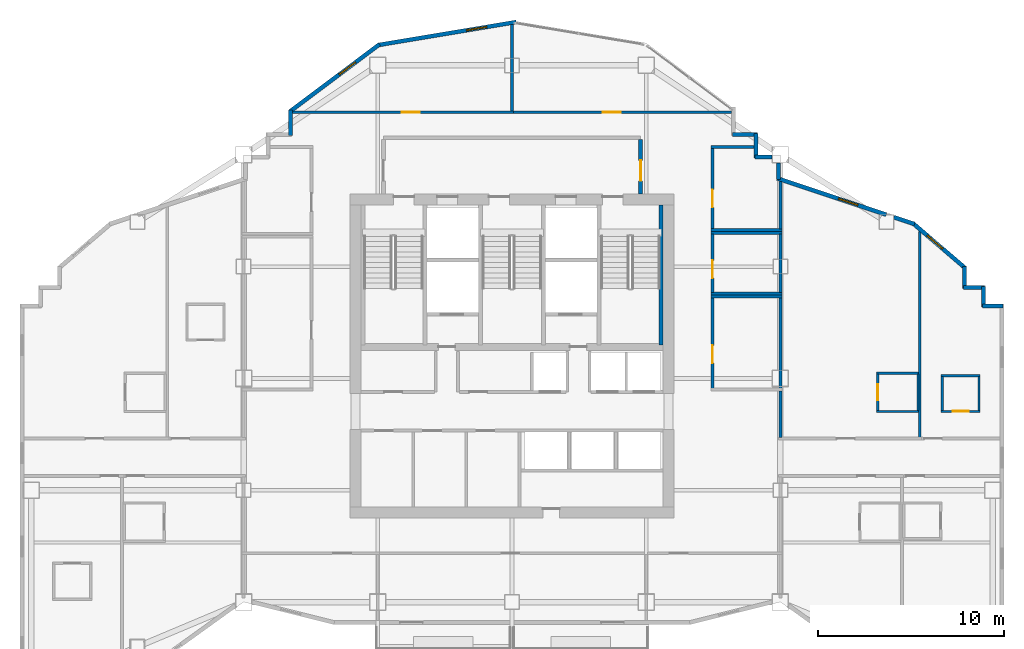
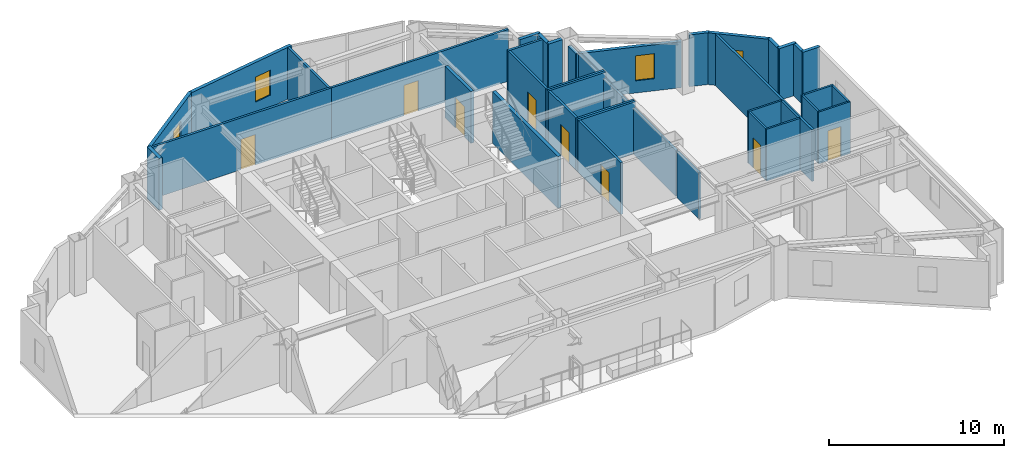
# One storey, part 8 of 10: 40 walls, 8 doors, 4 windows, 12 openings.
"""IFC4 building model written with IfcOpenShell, lengths in metres."""

from ifc_helpers import new_model, si_unit, direction, frame, frame_2d, origin, place, context, subcontext, project, spatial, rectangle, extrude, material, layer, layer_set, type_object, element, fill, save


model = new_model("IFC4")

# Units and contexts
model_context = context("Model", 3, precision=1e-05, world=origin(), true_north=direction((0.0, 1.0)))
body_context = subcontext(model_context, "Body", "Model", "MODEL_VIEW")
ifc_project = project(units=[si_unit("LENGTHUNIT", "METRE"), si_unit("AREAUNIT", "SQUARE_METRE"), si_unit("VOLUMEUNIT", "CUBIC_METRE"), si_unit("PLANEANGLEUNIT", "RADIAN"), si_unit("MASSUNIT", "GRAM", prefix="KILO")], contexts=[model_context])

# Site, building, storey
site_placement = place(None, origin())
site = spatial("IfcSite", under=ifc_project, at=site_placement, CompositionType="ELEMENT")
building_placement = place(site_placement, origin())
building = spatial("IfcBuilding", under=site, at=building_placement, Name="Haolan Belvedere Tower", CompositionType="ELEMENT")
storey_placement = place(building_placement, frame((0.0, 0.0, 180.39990234375)))
storey = spatial("IfcBuildingStorey", under=building, at=storey_placement, Name="L45", CompositionType="ELEMENT", Elevation=180.39990234375)

# Walls
ifc_material_1 = material(Name="Precast concrete C40/50", Category="concrete")
ifc_layer_1 = layer(ifc_material_1, 0.219970703125, Name="Precast concrete C40/50")
ifc_layer_set_1 = layer_set([ifc_layer_1], Name="Precast concrete C40/50")
wall_type_1 = type_object("IfcWallType", Name="WL-EXT-220", PredefinedType="SOLIDWALL", material=ifc_layer_set_1)
wall_1_placement = place(storey_placement, frame((64.7451171875, 37.489990234375, 0.0), z_axis=(0.0, 0.0, 1.0), x_axis=(-1.0, 0.0, 0.0)))
element("IfcWall", 1, at=wall_1_placement, inside=storey, type_object=wall_type_1, Name="L45 pale-metal exterior spandrel wall 9.1", PredefinedType="SOLIDWALL", context=body_context, shape_type="SweptSolid", body=[
    extrude(rectangle(XDim=1.110107421875, YDim=0.219970703125, at=frame_2d((0.55517578125, 0.0))), origin(), (0.0, 0.0, 1.0), 3.6201171875),
])
wall_2_placement = place(storey_placement, frame((63.68994140625, 37.43505859375, 0.0), z_axis=(0.0, 0.0, 1.0), x_axis=(0.0, 1.0, 0.0)))
element("IfcWall", 2, at=wall_2_placement, inside=storey, type_object=wall_type_1, Name="L45 pale-metal exterior spandrel wall 10.1", PredefinedType="SOLIDWALL", context=body_context, shape_type="SweptSolid", body=[
    extrude(rectangle(XDim=1.10986328125, YDim=0.219970703125, at=frame_2d((0.554931640625, 0.0))), origin(), (0.0, 0.0, 1.0), 3.6201171875),
])
wall_3_placement = place(storey_placement, frame((63.7451171875, 38.489990234375, 0.0), z_axis=(0.0, 0.0, 1.0), x_axis=(-1.0, 0.0, 0.0)))
element("IfcWall", 3, at=wall_3_placement, inside=storey, type_object=wall_type_1, Name="L45 pale-metal exterior spandrel wall 11.1", PredefinedType="SOLIDWALL", context=body_context, shape_type="SweptSolid", body=[
    extrude(rectangle(XDim=1.110107421875, YDim=0.219970703125, at=frame_2d((0.55517578125, 0.0))), origin(), (0.0, 0.0, 1.0), 3.6201171875),
])
wall_4_placement = place(storey_placement, frame((62.68994140625, 38.43505859375, 0.0), z_axis=(0.0, 0.0, 1.0), x_axis=(0.0, 1.0, 0.0)))
element("IfcWall", 4, at=wall_4_placement, inside=storey, type_object=wall_type_1, Name="L45 pale-metal exterior spandrel wall 12.1", PredefinedType="SOLIDWALL", context=body_context, shape_type="SweptSolid", body=[
    extrude(rectangle(XDim=1.16943359375, YDim=0.219970703125, at=frame_2d((0.584716796875, 0.0))), origin(), (0.0, 0.0, 1.0), 3.6201171875),
])

# Wall, opening, window
wall_5_placement = place(storey_placement, frame((62.731689453125, 39.513671875, 0.0), z_axis=(0.0, 0.0, 1.0), x_axis=(-0.759251976569, 0.65079677018, 0.0)))
wall_5 = element("IfcWall", 5, at=wall_5_placement, inside=storey, type_object=wall_type_1, Name="L45 pale-metal exterior spandrel wall 13.1", PredefinedType="SOLIDWALL", context=body_context, shape_type="SweptSolid", body=[
    extrude(rectangle(XDim=3.7255859375, YDim=0.219970703125, at=frame_2d((1.86279296875, 0.0))), origin(), (0.0, 0.0, 1.0), 3.6201171875),
])
opening_1_placement = place(wall_5_placement, frame((1.60009765625, 0.0, 0.85009765625)))
opening_1 = element("IfcOpeningElement", 6, at=opening_1_placement, cuts=wall_5, Name="Opening W-03", PredefinedType="OPENING", context=body_context, shape_type="SweptSolid", body=[
    extrude(rectangle(XDim=1.10009765625, YDim=1.75, at=frame_2d((0.550048828125, 0.875))), frame((0.0, 0.119873046875, 0.0), z_axis=(0.0, -1.0, 0.0), x_axis=(1.0, 0.0, 0.0)), (0.0, 0.0, 1.0), 0.239990234375),
])
ifc_material_2 = material(Name="Anodised aluminium 6063-T6 and Low-E glass", Category="aluminium")
window_type = type_object("IfcWindowType", Name="WN-DECO-Z3", PartitioningType="SINGLE_PANEL", PredefinedType="WINDOW", material=ifc_material_2)
window_1_placement = place(opening_1_placement, origin())
window_1 = element("IfcWindow", 7, at=window_1_placement, inside=storey, type_object=window_type, Name="L45 Art Deco chevron window 1", OverallHeight=1.75, OverallWidth=1.10009765625, PartitioningType="SINGLE_PANEL", PredefinedType="WINDOW", context=body_context, shape_type="SweptSolid", body=[
    extrude(rectangle(XDim=1.10009765625, YDim=1.75, at=frame_2d((0.550048828125, 0.875))), frame((0.0, 0.030029296875, 0.0), z_axis=(0.0, -1.0, 0.0), x_axis=(1.0, 0.0, 0.0)), (0.0, 0.0, 1.0), 0.06005859375),
])
fill(opening_1, window_1)

# Wall
wall_6_placement = place(storey_placement, frame((59.9970703125, 41.885009765625, 0.0), z_axis=(0.0, 0.0, 1.0), x_axis=(-0.948662335685, 0.316290646166, 0.0)))
element("IfcWall", 8, at=wall_6_placement, inside=storey, type_object=wall_type_1, Name="L45 pale-metal exterior spandrel wall 14.1", PredefinedType="SOLIDWALL", context=body_context, shape_type="SweptSolid", body=[
    extrude(rectangle(XDim=1.164794921875, YDim=0.219970703125, at=frame_2d((0.58251953125, 0.0))), origin(), (0.0, 0.0, 1.0), 3.6201171875),
])

# Wall, opening, window
wall_7_placement = place(storey_placement, frame((58.476318359375, 42.39208984375, 0.0), z_axis=(0.0, 0.0, 1.0), x_axis=(-0.948691231611, 0.316203964339, 0.0)))
wall_7 = element("IfcWall", 9, at=wall_7_placement, inside=storey, type_object=wall_type_1, Name="L45 pale-metal exterior spandrel wall 14.2", PredefinedType="SOLIDWALL", context=body_context, shape_type="SweptSolid", body=[
    extrude(rectangle(XDim=6.154296875, YDim=0.219970703125, at=frame_2d((3.0771484375, 0.0))), origin(), (0.0, 0.0, 1.0), 3.215087890625),
])
opening_2_placement = place(wall_7_placement, frame((1.60009765625, 0.0, 0.85009765625)))
opening_2 = element("IfcOpeningElement", 10, at=opening_2_placement, cuts=wall_7, Name="Opening W-03", PredefinedType="OPENING", context=body_context, shape_type="SweptSolid", body=[
    extrude(rectangle(XDim=1.10009765625, YDim=1.75, at=frame_2d((0.550048828125, 0.875))), frame((0.0, 0.119873046875, 0.0), z_axis=(0.0, -1.0, 0.0), x_axis=(1.0, 0.0, 0.0)), (0.0, 0.0, 1.0), 0.239990234375),
])
window_2_placement = place(opening_2_placement, origin())
window_2 = element("IfcWindow", 11, at=window_2_placement, inside=storey, type_object=window_type, Name="L45 Art Deco chevron window 1", OverallHeight=1.75, OverallWidth=1.10009765625, PartitioningType="SINGLE_PANEL", PredefinedType="WINDOW", context=body_context, shape_type="SweptSolid", body=[
    extrude(rectangle(XDim=1.10009765625, YDim=1.75, at=frame_2d((0.550048828125, 0.875))), frame((0.0, 0.030029296875, 0.0), z_axis=(0.0, -1.0, 0.0), x_axis=(1.0, 0.0, 0.0)), (0.0, 0.0, 1.0), 0.06005859375),
])
fill(opening_2, window_2)

# Walls
wall_8_placement = place(storey_placement, frame((52.68994140625, 44.265625, 0.0), z_axis=(0.0, 0.0, 1.0), x_axis=(0.0, 1.0, 0.0)))
element("IfcWall", 12, at=wall_8_placement, inside=storey, type_object=wall_type_1, Name="L45 pale-metal exterior spandrel wall 15.1", PredefinedType="SOLIDWALL", context=body_context, shape_type="SweptSolid", body=[
    extrude(rectangle(XDim=0.892333984375, YDim=0.219970703125, at=frame_2d((0.4462890625, 0.0))), origin(), (0.0, 0.0, 1.0), 3.215087890625),
])
wall_9_placement = place(storey_placement, frame((52.35791015625, 45.489990234375, 0.0), z_axis=(0.0, 0.0, 1.0), x_axis=(-1.0, 0.0, 0.0)))
element("IfcWall", 13, at=wall_9_placement, inside=storey, type_object=wall_type_1, Name="L45 pale-metal exterior spandrel wall 16.1", PredefinedType="SOLIDWALL", context=body_context, shape_type="SweptSolid", body=[
    extrude(rectangle(XDim=0.9228515625, YDim=0.219970703125, at=frame_2d((0.46142578125, 0.0))), origin(), (0.0, 0.0, 1.0), 3.6201171875),
])
wall_10_placement = place(storey_placement, frame((51.489990234375, 45.43505859375, 0.0), z_axis=(0.0, 0.0, 1.0), x_axis=(0.0, 1.0, 0.0)))
element("IfcWall", 14, at=wall_10_placement, inside=storey, type_object=wall_type_1, Name="L45 pale-metal exterior spandrel wall 17.1", PredefinedType="SOLIDWALL", context=body_context, shape_type="SweptSolid", body=[
    extrude(rectangle(XDim=1.31005859375, YDim=0.219970703125, at=frame_2d((0.655029296875, 0.0))), origin(), (0.0, 0.0, 1.0), 3.6201171875),
])
wall_11_placement = place(storey_placement, frame((51.544921875, 46.68994140625, 0.0), z_axis=(0.0, 0.0, 1.0), x_axis=(-1.0, 0.0, 0.0)))
element("IfcWall", 15, at=wall_11_placement, inside=storey, type_object=wall_type_1, Name="L45 pale-metal exterior spandrel wall 18.1", PredefinedType="SOLIDWALL", context=body_context, shape_type="SweptSolid", body=[
    extrude(rectangle(XDim=1.309814453125, YDim=0.219970703125, at=frame_2d((0.65478515625, 0.0))), origin(), (0.0, 0.0, 1.0), 3.6201171875),
])

# Wall, opening, window
wall_12_placement = place(storey_placement, frame((38.621826171875, 52.7255859375, 0.0), z_axis=(0.0, 0.0, 1.0), x_axis=(-0.986390420428, -0.164420006349, 0.0)))
wall_12 = element("IfcWall", 16, at=wall_12_placement, inside=storey, type_object=wall_type_1, Name="L45 pale-metal exterior spandrel wall 22.1", PredefinedType="SOLIDWALL", context=body_context, shape_type="SweptSolid", body=[
    extrude(rectangle(XDim=7.5341796875, YDim=0.219970703125, at=frame_2d((3.76708984375, 0.0))), origin(), (0.0, 0.0, 1.0), 3.6201171875),
])
opening_3_placement = place(wall_12_placement, frame((1.60009765625, 0.0, 0.85009765625)))
opening_3 = element("IfcOpeningElement", 17, at=opening_3_placement, cuts=wall_12, Name="Opening W-03", PredefinedType="OPENING", context=body_context, shape_type="SweptSolid", body=[
    extrude(rectangle(XDim=1.10009765625, YDim=1.75, at=frame_2d((0.550048828125, 0.875))), frame((0.0, 0.119873046875, 0.0), z_axis=(0.0, -1.0, 0.0), x_axis=(1.0, 0.0, 0.0)), (0.0, 0.0, 1.0), 0.239990234375),
])
window_3_placement = place(opening_3_placement, origin())
window_3 = element("IfcWindow", 18, at=window_3_placement, inside=storey, type_object=window_type, Name="L45 Art Deco chevron window 1", OverallHeight=1.75, OverallWidth=1.10009765625, PartitioningType="SINGLE_PANEL", PredefinedType="WINDOW", context=body_context, shape_type="SweptSolid", body=[
    extrude(rectangle(XDim=1.10009765625, YDim=1.75, at=frame_2d((0.550048828125, 0.875))), frame((0.0, 0.030029296875, 0.0), z_axis=(0.0, -1.0, 0.0), x_axis=(1.0, 0.0, 0.0)), (0.0, 0.0, 1.0), 0.06005859375),
])
fill(opening_3, window_3)

wall_13_placement = place(storey_placement, frame((31.28857421875, 51.52880859375, 0.0), z_axis=(0.0, 0.0, 1.0), x_axis=(-0.800014580093, -0.599980559383, 0.0)))
wall_13 = element("IfcWall", 19, at=wall_13_placement, inside=storey, type_object=wall_type_1, Name="L45 pale-metal exterior spandrel wall 23.1", PredefinedType="SOLIDWALL", context=body_context, shape_type="SweptSolid", body=[
    extrude(rectangle(XDim=6.028076171875, YDim=0.219970703125, at=frame_2d((3.01416015625, 0.0))), origin(), (0.0, 0.0, 1.0), 3.6201171875),
])
opening_4_placement = place(wall_13_placement, frame((1.60009765625, 0.0, 0.85009765625)))
opening_4 = element("IfcOpeningElement", 20, at=opening_4_placement, cuts=wall_13, Name="Opening W-03", PredefinedType="OPENING", context=body_context, shape_type="SweptSolid", body=[
    extrude(rectangle(XDim=1.10009765625, YDim=1.75, at=frame_2d((0.550048828125, 0.875))), frame((0.0, 0.119873046875, 0.0), z_axis=(0.0, -1.0, 0.0), x_axis=(1.0, 0.0, 0.0)), (0.0, 0.0, 1.0), 0.239990234375),
])
window_4_placement = place(opening_4_placement, origin())
window_4 = element("IfcWindow", 21, at=window_4_placement, inside=storey, type_object=window_type, Name="L45 Art Deco chevron window 1", OverallHeight=1.75, OverallWidth=1.10009765625, PartitioningType="SINGLE_PANEL", PredefinedType="WINDOW", context=body_context, shape_type="SweptSolid", body=[
    extrude(rectangle(XDim=1.10009765625, YDim=1.75, at=frame_2d((0.550048828125, 0.875))), frame((0.0, 0.030029296875, 0.0), z_axis=(0.0, -1.0, 0.0), x_axis=(1.0, 0.0, 0.0)), (0.0, 0.0, 1.0), 0.06005859375),
])
fill(opening_4, window_4)

# Wall
wall_14_placement = place(storey_placement, frame((26.510009765625, 48.0, 0.0), z_axis=(0.0, 0.0, 1.0), x_axis=(0.0, -1.0, 0.0)))
element("IfcWall", 22, at=wall_14_placement, inside=storey, type_object=wall_type_1, Name="L45 pale-metal exterior spandrel wall 24.1", PredefinedType="SOLIDWALL", context=body_context, shape_type="SweptSolid", body=[
    extrude(rectangle(XDim=1.364990234375, YDim=0.219970703125, at=frame_2d((0.6826171875, 0.0))), origin(), (0.0, 0.0, 1.0), 3.6201171875),
])

# Wall, opening, door
ifc_material_3 = material(Name="Concrete C40/50", Category="concrete")
ifc_layer_2 = layer(ifc_material_3, 0.199951171875, Name="Concrete C40/50")
ifc_layer_set_2 = layer_set([ifc_layer_2], Name="Concrete C40/50")
wall_type_2 = type_object("IfcWallType", Name="WL-FIRE-200", PredefinedType="SOLIDWALL", material=ifc_layer_set_2)
wall_15_placement = place(storey_placement, frame((45.300048828125, 43.5, 0.0), z_axis=(0.0, 0.0, 1.0), x_axis=(0.0, 1.0, 0.0)))
wall_15 = element("IfcWall", 23, at=wall_15_placement, inside=storey, type_object=wall_type_2, Name="L45 interior partition IW-L45-FFL-E", PredefinedType="SOLIDWALL", context=body_context, shape_type="SweptSolid", body=[
    extrude(rectangle(XDim=2.93505859375, YDim=0.199951171875, at=frame_2d((1.467529296875, 0.0))), origin(), (0.0, 0.0, 1.0), 3.6201171875),
])
opening_5_placement = place(wall_15_placement, frame((0.699951171875, 0.0, 0.0)))
opening_5 = element("IfcOpeningElement", 24, at=opening_5_placement, cuts=wall_15, Name="Opening FD-03", PredefinedType="OPENING", context=body_context, shape_type="SweptSolid", body=[
    extrude(rectangle(XDim=1.10009765625, YDim=2.14990234375, at=frame_2d((0.550048828125, 1.074951171875))), frame((0.0, 0.10986328125, 0.0), z_axis=(0.0, -1.0, 0.0), x_axis=(1.0, 0.0, 0.0)), (0.0, 0.0, 1.0), 0.219970703125),
])
ifc_material_4 = material(Name="Galvanised fire-rated steel", Category="steel")
door_type_1 = type_object("IfcDoorType", Name="DR-FD90-1100", OperationType="NOTDEFINED", PredefinedType="DOOR", material=ifc_material_4)
door_1_placement = place(opening_5_placement, origin())
door_1 = element("IfcDoor", 25, at=door_1_placement, inside=storey, type_object=door_type_1, Name="L45 door ID-L45-FFL-DE", OperationType="SINGLE_SWING_RIGHT", OverallHeight=2.14990234375, OverallWidth=1.10009765625, PredefinedType="DOOR", context=body_context, shape_type="SweptSolid", body=[
    extrude(rectangle(XDim=1.10009765625, YDim=2.14990234375, at=frame_2d((0.550048828125, 1.074951171875))), frame((0.0, 0.02490234375, 0.0), z_axis=(0.0, -1.0, 0.0), x_axis=(1.0, 0.0, 0.0)), (0.0, 0.0, 1.0), 0.050048828125),
])
fill(opening_5, door_1)

# Wall
ifc_material_5 = material(Name="Double gypsum acoustic stud partition", Category="masonry")
ifc_layer_3 = layer(ifc_material_5, 0.14990234375, Name="Double gypsum acoustic stud partition")
ifc_layer_set_3 = layer_set([ifc_layer_3], Name="Double gypsum acoustic stud partition")
wall_type_3 = type_object("IfcWallType", Name="WL-PART-150", PredefinedType="PARTITIONING", material=ifc_layer_set_3)
wall_16_placement = place(storey_placement, frame((49.080078125, 38.0, 0.0), z_axis=(0.0, 0.0, 1.0), x_axis=(1.0, 0.0, 0.0)))
element("IfcWall", 26, at=wall_16_placement, inside=storey, type_object=wall_type_3, Name="L45 interior partition IW-L45-BPN-N", PredefinedType="PARTITIONING", context=body_context, shape_type="SweptSolid", body=[
    extrude(rectangle(XDim=3.7998046875, YDim=0.14990234375, at=frame_2d((1.89990234375, 0.0))), origin(), (0.0, 0.0, 1.0), 3.6201171875),
])

# Wall, opening, door
wall_17_placement = place(storey_placement, frame((49.159912109375, 33.06005859375, 0.0), z_axis=(0.0, 0.0, 1.0), x_axis=(0.0, 1.0, 0.0)))
wall_17 = element("IfcWall", 27, at=wall_17_placement, inside=storey, type_object=wall_type_3, Name="L45 interior partition IW-L45-BPN-W", PredefinedType="PARTITIONING", context=body_context, shape_type="SweptSolid", body=[
    extrude(rectangle(XDim=4.8798828125, YDim=0.14990234375, at=frame_2d((2.43994140625, 0.0))), origin(), (0.0, 0.0, 1.0), 3.6201171875),
])
opening_6_placement = place(wall_17_placement, frame((1.360107421875, 0.0, 0.0)))
opening_6 = element("IfcOpeningElement", 28, at=opening_6_placement, cuts=wall_17, Name="Opening ID-03", PredefinedType="OPENING", context=body_context, shape_type="SweptSolid", body=[
    extrude(rectangle(XDim=0.949951171875, YDim=2.1201171875, at=frame_2d((0.47509765625, 1.06005859375))), frame((0.0, 0.0849609375, 0.0), z_axis=(0.0, -1.0, 0.0), x_axis=(1.0, 0.0, 0.0)), (0.0, 0.0, 1.0), 0.169921875),
])
ifc_material_6 = material(Name="Painted solid-core timber", Category="wood")
door_type_2 = type_object("IfcDoorType", Name="DR-INT-950", OperationType="NOTDEFINED", PredefinedType="DOOR", material=ifc_material_6)
door_2_placement = place(opening_6_placement, origin())
door_2 = element("IfcDoor", 29, at=door_2_placement, inside=storey, type_object=door_type_2, Name="L45 door ID-L45-BPN", OperationType="SINGLE_SWING_RIGHT", OverallHeight=2.1201171875, OverallWidth=0.949951171875, PredefinedType="DOOR", context=body_context, shape_type="SweptSolid", body=[
    extrude(rectangle(XDim=0.949951171875, YDim=2.1201171875, at=frame_2d((0.47509765625, 1.06005859375))), frame((0.0, 0.02490234375, 0.0), z_axis=(0.0, -1.0, 0.0), x_axis=(1.0, 0.0, 0.0)), (0.0, 0.0, 1.0), 0.050048828125),
])
fill(opening_6, door_2)

# Walls
wall_18_placement = place(storey_placement, frame((52.800048828125, 33.06005859375, 0.0), z_axis=(0.0, 0.0, 1.0), x_axis=(0.0, 1.0, 0.0)))
element("IfcWall", 30, at=wall_18_placement, inside=storey, type_object=wall_type_3, Name="L45 interior partition IW-L45-BPN-E", PredefinedType="PARTITIONING", context=body_context, shape_type="SweptSolid", body=[
    extrude(rectangle(XDim=4.8798828125, YDim=0.14990234375, at=frame_2d((2.43994140625, 0.0))), origin(), (0.0, 0.0, 1.0), 3.215087890625),
])
for number, where, z_axis, x_axis, name in (
    (31, (49.080078125, 41.39990234375, 0.0), (0.0, 0.0, 1.0), (1.0, 0.0, 0.0), "L45 interior partition IW-L45-AWC-N"),
    (32, (49.080078125, 38.159912109375, 0.0), (0.0, 0.0, 1.0), (1.0, 0.0, 0.0), "L45 interior partition IW-L45-AWC-S"),
):
    element("IfcWall", number, at=place(storey_placement, frame(where, z_axis=z_axis, x_axis=x_axis)), inside=storey, type_object=wall_type_3, Name=name, PredefinedType="PARTITIONING", context=body_context, shape_type="SweptSolid", body=[
        extrude(rectangle(XDim=3.7998046875, YDim=0.14990234375, at=frame_2d((1.89990234375, 0.0))), origin(), (0.0, 0.0, 1.0), 3.6201171875),
    ])

# Wall, opening, door
wall_19_placement = place(storey_placement, frame((49.159912109375, 38.219970703125, 0.0), z_axis=(0.0, 0.0, 1.0), x_axis=(0.0, 1.0, 0.0)))
wall_19 = element("IfcWall", 33, at=wall_19_placement, inside=storey, type_object=wall_type_3, Name="L45 interior partition IW-L45-AWC-W", PredefinedType="PARTITIONING", context=body_context, shape_type="SweptSolid", body=[
    extrude(rectangle(XDim=3.1201171875, YDim=0.14990234375, at=frame_2d((1.56005859375, 0.0))), origin(), (0.0, 0.0, 1.0), 3.6201171875),
])
opening_7_placement = place(wall_19_placement, frame((0.760009765625, 0.0, 0.0)))
opening_7 = element("IfcOpeningElement", 34, at=opening_7_placement, cuts=wall_19, Name="Opening ID-03", PredefinedType="OPENING", context=body_context, shape_type="SweptSolid", body=[
    extrude(rectangle(XDim=0.949951171875, YDim=2.1201171875, at=frame_2d((0.47509765625, 1.06005859375))), frame((0.0, 0.0849609375, 0.0), z_axis=(0.0, -1.0, 0.0), x_axis=(1.0, 0.0, 0.0)), (0.0, 0.0, 1.0), 0.169921875),
])
door_3_placement = place(opening_7_placement, origin())
door_3 = element("IfcDoor", 35, at=door_3_placement, inside=storey, type_object=door_type_2, Name="L45 door ID-L45-AWC", OperationType="SINGLE_SWING_LEFT", OverallHeight=2.1201171875, OverallWidth=0.949951171875, PredefinedType="DOOR", context=body_context, shape_type="SweptSolid", body=[
    extrude(rectangle(XDim=0.949951171875, YDim=2.1201171875, at=frame_2d((0.47509765625, 1.06005859375))), frame((0.0, 0.02490234375, 0.0), z_axis=(0.0, -1.0, 0.0), x_axis=(1.0, 0.0, 0.0)), (0.0, 0.0, 1.0), 0.050048828125),
])
fill(opening_7, door_3)

# Walls
wall_20_placement = place(storey_placement, frame((52.800048828125, 38.219970703125, 0.0), z_axis=(0.0, 0.0, 1.0), x_axis=(0.0, 1.0, 0.0)))
element("IfcWall", 36, at=wall_20_placement, inside=storey, type_object=wall_type_3, Name="L45 interior partition IW-L45-AWC-E", PredefinedType="PARTITIONING", context=body_context, shape_type="SweptSolid", body=[
    extrude(rectangle(XDim=3.1201171875, YDim=0.14990234375, at=frame_2d((1.56005859375, 0.0))), origin(), (0.0, 0.0, 1.0), 3.215087890625),
])
wall_21_placement = place(storey_placement, frame((49.080078125, 46.02001953125, 0.0), z_axis=(0.0, 0.0, 1.0), x_axis=(1.0, 0.0, 0.0)))
element("IfcWall", 37, at=wall_21_placement, inside=storey, type_object=wall_type_3, Name="L45 interior partition IW-L45-CLN-N", PredefinedType="PARTITIONING", context=body_context, shape_type="SweptSolid", body=[
    extrude(rectangle(XDim=2.307861328125, YDim=0.14990234375, at=frame_2d((1.15380859375, 0.0))), origin(), (0.0, 0.0, 1.0), 3.6201171875),
])
wall_22_placement = place(storey_placement, frame((49.080078125, 41.56005859375, 0.0), z_axis=(0.0, 0.0, 1.0), x_axis=(1.0, 0.0, 0.0)))
element("IfcWall", 38, at=wall_22_placement, inside=storey, type_object=wall_type_3, Name="L45 interior partition IW-L45-CLN-S", PredefinedType="PARTITIONING", context=body_context, shape_type="SweptSolid", body=[
    extrude(rectangle(XDim=3.7998046875, YDim=0.14990234375, at=frame_2d((1.89990234375, 0.0))), origin(), (0.0, 0.0, 1.0), 3.6201171875),
])

# Wall, opening, door
wall_23_placement = place(storey_placement, frame((49.159912109375, 41.6201171875, 0.0), z_axis=(0.0, 0.0, 1.0), x_axis=(0.0, 1.0, 0.0)))
wall_23 = element("IfcWall", 39, at=wall_23_placement, inside=storey, type_object=wall_type_3, Name="L45 interior partition IW-L45-CLN-W", PredefinedType="PARTITIONING", context=body_context, shape_type="SweptSolid", body=[
    extrude(rectangle(XDim=4.33984375, YDim=0.14990234375, at=frame_2d((2.169921875, 0.0))), origin(), (0.0, 0.0, 1.0), 3.6201171875),
])
opening_8_placement = place(wall_23_placement, frame((1.159912109375, 0.0, 0.0)))
opening_8 = element("IfcOpeningElement", 40, at=opening_8_placement, cuts=wall_23, Name="Opening ID-03", PredefinedType="OPENING", context=body_context, shape_type="SweptSolid", body=[
    extrude(rectangle(XDim=0.949951171875, YDim=2.1201171875, at=frame_2d((0.47509765625, 1.06005859375))), frame((0.0, 0.0849609375, 0.0), z_axis=(0.0, -1.0, 0.0), x_axis=(1.0, 0.0, 0.0)), (0.0, 0.0, 1.0), 0.169921875),
])
door_4_placement = place(opening_8_placement, origin())
door_4 = element("IfcDoor", 41, at=door_4_placement, inside=storey, type_object=door_type_2, Name="L45 door ID-L45-CLN", OperationType="SINGLE_SWING_RIGHT", OverallHeight=2.1201171875, OverallWidth=0.949951171875, PredefinedType="DOOR", context=body_context, shape_type="SweptSolid", body=[
    extrude(rectangle(XDim=0.949951171875, YDim=2.1201171875, at=frame_2d((0.47509765625, 1.06005859375))), frame((0.0, 0.02490234375, 0.0), z_axis=(0.0, -1.0, 0.0), x_axis=(1.0, 0.0, 0.0)), (0.0, 0.0, 1.0), 0.050048828125),
])
fill(opening_8, door_4)

# Wall
wall_24_placement = place(storey_placement, frame((52.800048828125, 41.6201171875, 0.0), z_axis=(0.0, 0.0, 1.0), x_axis=(0.0, 1.0, 0.0)))
element("IfcWall", 42, at=wall_24_placement, inside=storey, type_object=wall_type_3, Name="L45 interior partition IW-L45-CLN-E", PredefinedType="PARTITIONING", context=body_context, shape_type="SweptSolid", body=[
    extrude(rectangle(XDim=2.556396484375, YDim=0.14990234375, at=frame_2d((1.2783203125, 0.0))), origin(), (0.0, 0.0, 1.0), 3.215087890625),
])

# Wall, opening, door
wall_25_placement = place(storey_placement, frame((26.612060546875, 47.8798828125, 0.0), z_axis=(0.0, 0.0, 1.0), x_axis=(1.0, 0.0, 0.0)))
wall_25 = element("IfcWall", 43, at=wall_25_placement, inside=storey, type_object=wall_type_3, Name="L45 interior partition IW-L45-KN1-S", PredefinedType="PARTITIONING", context=body_context, shape_type="SweptSolid", body=[
    extrude(rectangle(XDim=11.867919921875, YDim=0.14990234375, at=frame_2d((5.93408203125, 0.0))), origin(), (0.0, 0.0, 1.0), 3.6201171875),
])
opening_9_placement = place(wall_25_placement, frame((5.883056640625, 0.0, 0.0)))
opening_9 = element("IfcOpeningElement", 44, at=opening_9_placement, cuts=wall_25, Name="Opening ID-03", PredefinedType="OPENING", context=body_context, shape_type="SweptSolid", body=[
    extrude(rectangle(XDim=0.949951171875, YDim=2.1201171875, at=frame_2d((0.47509765625, 1.06005859375))), frame((0.0, 0.0849609375, 0.0), z_axis=(0.0, -1.0, 0.0), x_axis=(1.0, 0.0, 0.0)), (0.0, 0.0, 1.0), 0.169921875),
])
door_5_placement = place(opening_9_placement, origin())
door_5 = element("IfcDoor", 45, at=door_5_placement, inside=storey, type_object=door_type_2, Name="L45 door ID-L45-KN1", OperationType="SINGLE_SWING_RIGHT", OverallHeight=2.1201171875, OverallWidth=0.949951171875, PredefinedType="DOOR", context=body_context, shape_type="SweptSolid", body=[
    extrude(rectangle(XDim=0.949951171875, YDim=2.1201171875, at=frame_2d((0.47509765625, 1.06005859375))), frame((0.0, 0.02490234375, 0.0), z_axis=(0.0, -1.0, 0.0), x_axis=(1.0, 0.0, 0.0)), (0.0, 0.0, 1.0), 0.050048828125),
])
fill(opening_9, door_5)

# Wall
wall_26_placement = place(storey_placement, frame((38.39990234375, 47.93994140625, 0.0), z_axis=(0.0, 0.0, 1.0), x_axis=(0.0, 1.0, 0.0)))
element("IfcWall", 46, at=wall_26_placement, inside=storey, type_object=wall_type_3, Name="L45 interior partition IW-L45-KN1-E", PredefinedType="PARTITIONING", context=body_context, shape_type="SweptSolid", body=[
    extrude(rectangle(XDim=4.645263671875, YDim=0.14990234375, at=frame_2d((2.32275390625, 0.0))), origin(), (0.0, 0.0, 1.0), 3.6201171875),
])

# Wall, opening, door
wall_27_placement = place(storey_placement, frame((38.48193359375, 47.8798828125, 0.0), z_axis=(0.0, 0.0, 1.0), x_axis=(1.0, 0.0, 0.0)))
wall_27 = element("IfcWall", 47, at=wall_27_placement, inside=storey, type_object=wall_type_3, Name="L45 interior partition IW-L45-KN2-S", PredefinedType="PARTITIONING", context=body_context, shape_type="SweptSolid", body=[
    extrude(rectangle(XDim=11.7060546875, YDim=0.14990234375, at=frame_2d((5.85302734375, 0.0))), origin(), (0.0, 0.0, 1.0), 3.6201171875),
])
opening_10_placement = place(wall_27_placement, frame((4.79296875, 0.0, 0.0)))
opening_10 = element("IfcOpeningElement", 48, at=opening_10_placement, cuts=wall_27, Name="Opening ID-03", PredefinedType="OPENING", context=body_context, shape_type="SweptSolid", body=[
    extrude(rectangle(XDim=0.949951171875, YDim=2.1201171875, at=frame_2d((0.47509765625, 1.06005859375))), frame((0.0, 0.0849609375, 0.0), z_axis=(0.0, -1.0, 0.0), x_axis=(1.0, 0.0, 0.0)), (0.0, 0.0, 1.0), 0.169921875),
])
door_6_placement = place(opening_10_placement, origin())
door_6 = element("IfcDoor", 49, at=door_6_placement, inside=storey, type_object=door_type_2, Name="L45 door ID-L45-KN2", OperationType="SINGLE_SWING_LEFT", OverallHeight=2.1201171875, OverallWidth=0.949951171875, PredefinedType="DOOR", context=body_context, shape_type="SweptSolid", body=[
    extrude(rectangle(XDim=0.949951171875, YDim=2.1201171875, at=frame_2d((0.47509765625, 1.06005859375))), frame((0.0, 0.02490234375, 0.0), z_axis=(0.0, -1.0, 0.0), x_axis=(1.0, 0.0, 0.0)), (0.0, 0.0, 1.0), 0.050048828125),
])
fill(opening_10, door_6)

# Walls
wall_28_placement = place(storey_placement, frame((52.800048828125, 30.43994140625, 0.0), z_axis=(0.0, 0.0, 1.0), x_axis=(0.0, 1.0, 0.0)))
element("IfcWall", 50, at=wall_28_placement, inside=storey, type_object=wall_type_3, Name="L45 interior partition IW-L45-T4N1-W", PredefinedType="PARTITIONING", context=body_context, shape_type="SweptSolid", body=[
    extrude(rectangle(XDim=2.5, YDim=0.14990234375, at=frame_2d((1.25, 0.0))), origin(), (0.0, 0.0, 1.0), 3.215087890625),
])
wall_29_placement = place(storey_placement, frame((60.280029296875, 30.43994140625, 0.0), z_axis=(0.0, 0.0, 1.0), x_axis=(0.0, 1.0, 0.0)))
element("IfcWall", 51, at=wall_29_placement, inside=storey, type_object=wall_type_3, Name="L45 interior partition IW-L45-T4N1-E", PredefinedType="PARTITIONING", context=body_context, shape_type="SweptSolid", body=[
    extrude(rectangle(XDim=11.040771484375, YDim=0.14990234375, at=frame_2d((5.5205078125, 0.0))), origin(), (0.0, 0.0, 1.0), 3.6201171875),
])
ifc_material_7 = material(Name="Concrete C50/60", Category="concrete")
ifc_layer_4 = layer(ifc_material_7, 0.219970703125, Name="Concrete C50/60")
ifc_layer_set_4 = layer_set([ifc_layer_4], Name="Concrete C50/60")
wall_type_4 = type_object("IfcWallType", Name="WL-STAIR-220", PredefinedType="SHEAR", material=ifc_layer_set_4)
wall_30_placement = place(storey_placement, frame((46.387939453125, 35.389892578125, 0.0), z_axis=(0.0, 0.0, 1.0), x_axis=(0.0, 1.0, 0.0)))
element("IfcWall", 52, at=wall_30_placement, inside=storey, type_object=wall_type_4, Name="L45 structural stair core wall ST2E", PredefinedType="SHEAR", context=body_context, shape_type="SweptSolid", body=[
    extrude(rectangle(XDim=7.510009765625, YDim=0.219970703125, at=frame_2d((3.7548828125, 0.0))), origin(), (0.0, 0.0, 1.0), 3.6201171875),
])
ifc_material_8 = material(Name="Moisture-resistant gypsum tile partition", Category="masonry")
ifc_layer_5 = layer(ifc_material_8, 0.1201171875, Name="Moisture-resistant gypsum tile partition")
ifc_layer_set_5 = layer_set([ifc_layer_5], Name="Moisture-resistant gypsum tile partition")
wall_type_5 = type_object("IfcWallType", Name="WL-WET-120", PredefinedType="PARTITIONING", material=ifc_layer_set_5)
for number, where, z_axis, x_axis, name in (
    (53, (57.969970703125, 33.8798828125, 0.0), (0.0, 0.0, 1.0), (1.0, 0.0, 0.0), "L45 interior partition IW-L45-T4N1-BN"),
    (54, (57.969970703125, 31.830078125, 0.0), (0.0, 0.0, 1.0), (1.0, 0.0, 0.0), "L45 interior partition IW-L45-T4N1-BS"),
):
    element("IfcWall", number, at=place(storey_placement, frame(where, z_axis=z_axis, x_axis=x_axis)), inside=storey, type_object=wall_type_5, Name=name, PredefinedType="PARTITIONING", context=body_context, shape_type="SweptSolid", body=[
        extrude(rectangle(XDim=2.25, YDim=0.1201171875, at=frame_2d((1.125, 0.0))), origin(), (0.0, 0.0, 1.0), 3.6201171875),
    ])

# Wall, opening, door
wall_31_placement = place(storey_placement, frame((58.030029296875, 31.875, 0.0), z_axis=(0.0, 0.0, 1.0), x_axis=(0.0, 1.0, 0.0)))
wall_31 = element("IfcWall", 55, at=wall_31_placement, inside=storey, type_object=wall_type_5, Name="L45 interior partition IW-L45-T4N1-BW", PredefinedType="PARTITIONING", context=body_context, shape_type="SweptSolid", body=[
    extrude(rectangle(XDim=1.9599609375, YDim=0.1201171875, at=frame_2d((0.97998046875, 0.0))), origin(), (0.0, 0.0, 1.0), 3.6201171875),
])
opening_11_placement = place(wall_31_placement, frame((1.405029296875, 0.0, 0.0), z_axis=(0.0, 0.0, 1.0), x_axis=(-1.0, 0.0, 0.0)))
opening_11 = element("IfcOpeningElement", 56, at=opening_11_placement, cuts=wall_31, Name="Opening ID-05", PredefinedType="OPENING", context=body_context, shape_type="SweptSolid", body=[
    extrude(rectangle(XDim=0.85009765625, YDim=2.10009765625, at=frame_2d((0.425048828125, 1.050048828125))), frame((0.0, 0.070068359375, 0.0), z_axis=(0.0, -1.0, 0.0), x_axis=(1.0, 0.0, 0.0)), (0.0, 0.0, 1.0), 0.14013671875),
])
ifc_material_9 = material(Name="Moisture-resistant lacquered timber", Category="wood")
door_type_3 = type_object("IfcDoorType", Name="DR-BATH-850", OperationType="NOTDEFINED", PredefinedType="DOOR", material=ifc_material_9)
door_7_placement = place(opening_11_placement, origin())
door_7 = element("IfcDoor", 57, at=door_7_placement, inside=storey, type_object=door_type_3, Name="L45 door ID-L45-T4N1-BATH", OperationType="SINGLE_SWING_LEFT", OverallHeight=2.10009765625, OverallWidth=0.85009765625, PredefinedType="DOOR", context=body_context, shape_type="SweptSolid", body=[
    extrude(rectangle(XDim=0.85009765625, YDim=2.10009765625, at=frame_2d((0.425048828125, 1.050048828125))), frame((0.0, 0.02490234375, 0.0), z_axis=(0.0, -1.0, 0.0), x_axis=(1.0, 0.0, 0.0)), (0.0, 0.0, 1.0), 0.050048828125),
])
fill(opening_11, door_7)

# Walls
wall_32_placement = place(storey_placement, frame((60.179931640625, 31.875, 0.0), z_axis=(0.0, 0.0, 1.0), x_axis=(0.0, 1.0, 0.0)))
element("IfcWall", 58, at=wall_32_placement, inside=storey, type_object=wall_type_5, Name="L45 interior partition IW-L45-T4N1-BE", PredefinedType="PARTITIONING", context=body_context, shape_type="SweptSolid", body=[
    extrude(rectangle(XDim=1.9599609375, YDim=0.1201171875, at=frame_2d((0.97998046875, 0.0))), origin(), (0.0, 0.0, 1.0), 3.6201171875),
])
wall_33_placement = place(storey_placement, frame((61.425048828125, 33.75, 0.0), z_axis=(0.0, 0.0, 1.0), x_axis=(1.0, 0.0, 0.0)))
element("IfcWall", 59, at=wall_33_placement, inside=storey, type_object=wall_type_5, Name="L45 interior partition IW-L45-T4N2-BN", PredefinedType="PARTITIONING", context=body_context, shape_type="SweptSolid", body=[
    extrude(rectangle(XDim=2.099853515625, YDim=0.1201171875, at=frame_2d((1.0498046875, 0.0))), origin(), (0.0, 0.0, 1.0), 3.6201171875),
])

# Wall, opening, door
wall_34_placement = place(storey_placement, frame((61.425048828125, 31.830078125, 0.0), z_axis=(0.0, 0.0, 1.0), x_axis=(1.0, 0.0, 0.0)))
wall_34 = element("IfcWall", 60, at=wall_34_placement, inside=storey, type_object=wall_type_5, Name="L45 interior partition IW-L45-T4N2-BS", PredefinedType="PARTITIONING", context=body_context, shape_type="SweptSolid", body=[
    extrude(rectangle(XDim=2.099853515625, YDim=0.1201171875, at=frame_2d((1.0498046875, 0.0))), origin(), (0.0, 0.0, 1.0), 3.6201171875),
])
opening_12_placement = place(wall_34_placement, frame((0.625, 0.0, 0.0)))
opening_12 = element("IfcOpeningElement", 61, at=opening_12_placement, cuts=wall_34, Name="Opening ID-05", PredefinedType="OPENING", context=body_context, shape_type="SweptSolid", body=[
    extrude(rectangle(XDim=0.85009765625, YDim=2.10009765625, at=frame_2d((0.425048828125, 1.050048828125))), frame((0.0, 0.070068359375, 0.0), z_axis=(0.0, -1.0, 0.0), x_axis=(1.0, 0.0, 0.0)), (0.0, 0.0, 1.0), 0.14013671875),
])
door_8_placement = place(opening_12_placement, origin())
door_8 = element("IfcDoor", 62, at=door_8_placement, inside=storey, type_object=door_type_3, Name="L45 door ID-L45-T4N2-BATH", OperationType="SINGLE_SWING_RIGHT", OverallHeight=2.10009765625, OverallWidth=0.85009765625, PredefinedType="DOOR", context=body_context, shape_type="SweptSolid", body=[
    extrude(rectangle(XDim=0.85009765625, YDim=2.10009765625, at=frame_2d((0.425048828125, 1.050048828125))), frame((0.0, 0.02490234375, 0.0), z_axis=(0.0, -1.0, 0.0), x_axis=(1.0, 0.0, 0.0)), (0.0, 0.0, 1.0), 0.050048828125),
])
fill(opening_12, door_8)

# Walls
for number, where, z_axis, x_axis, name in (
    (63, (61.485107421875, 31.875, 0.0), (0.0, 0.0, 1.0), (0.0, 1.0, 0.0), "L45 interior partition IW-L45-T4N2-BW"),
    (64, (63.465087890625, 31.875, 0.0), (0.0, 0.0, 1.0), (0.0, 1.0, 0.0), "L45 interior partition IW-L45-T4N2-BE"),
):
    element("IfcWall", number, at=place(storey_placement, frame(where, z_axis=z_axis, x_axis=x_axis)), inside=storey, type_object=wall_type_5, Name=name, PredefinedType="PARTITIONING", context=body_context, shape_type="SweptSolid", body=[
        extrude(rectangle(XDim=1.830078125, YDim=0.1201171875, at=frame_2d((0.9150390625, 0.0))), origin(), (0.0, 0.0, 1.0), 3.6201171875),
    ])

save(model, "model.ifc")
